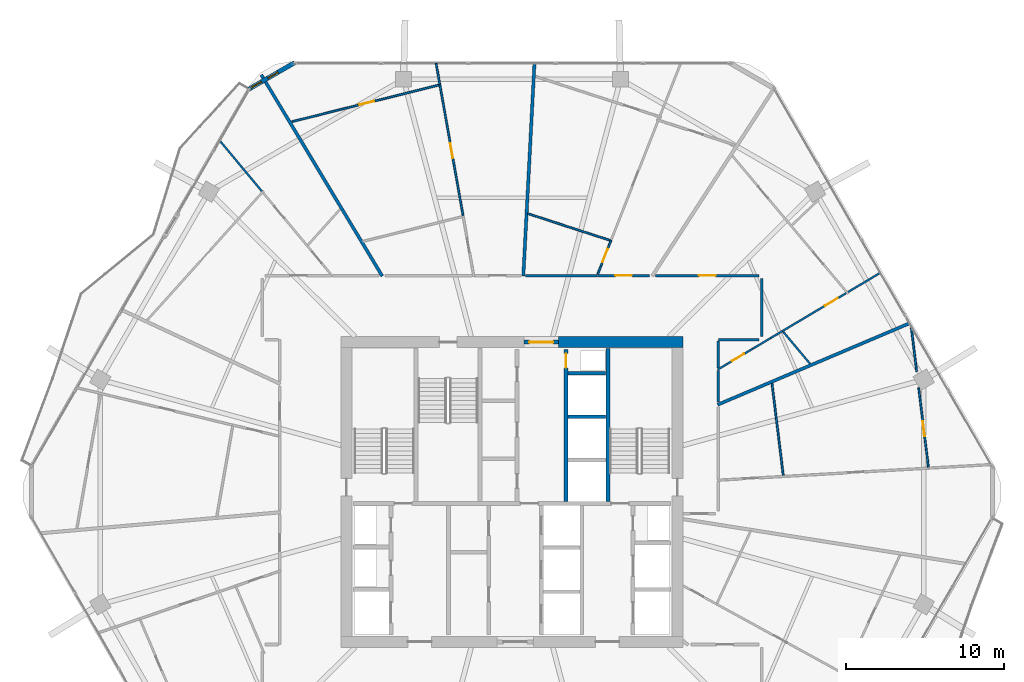
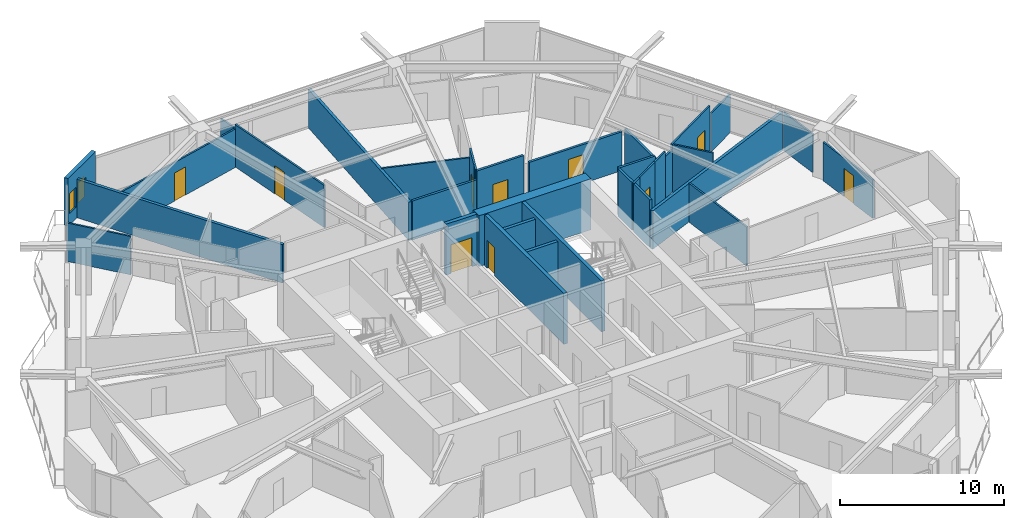
# One storey, part 21 of 26: 34 walls, 10 doors, 2 windows, 12 openings.
"""IFC4 building model written with IfcOpenShell, lengths in metres."""

from ifc_helpers import new_model, si_unit, direction, frame, frame_2d, origin, place, context, subcontext, project, spatial, rectangle, extrude, material, layer, layer_set, type_object, element, fill, save


model = new_model("IFC4")

# Units and contexts
model_context = context("Model", 3, precision=1e-05, world=origin(), true_north=direction((0.0, 1.0)))
body_context = subcontext(model_context, "Body", "Model", "MODEL_VIEW")
ifc_project = project(units=[si_unit("LENGTHUNIT", "METRE"), si_unit("AREAUNIT", "SQUARE_METRE"), si_unit("VOLUMEUNIT", "CUBIC_METRE"), si_unit("PLANEANGLEUNIT", "RADIAN"), si_unit("MASSUNIT", "GRAM", prefix="KILO")], contexts=[model_context])

# Site, building, storey
site_placement = place(None, origin())
site = spatial("IfcSite", under=ifc_project, at=site_placement, CompositionType="ELEMENT")
building_placement = place(site_placement, origin())
building = spatial("IfcBuilding", under=site, at=building_placement, Name="Zuhravey Tower", CompositionType="ELEMENT")
storey_placement = place(building_placement, frame((0.0, 0.0, 165.60009765625)))
storey = spatial("IfcBuildingStorey", under=building, at=storey_placement, Name="L41", CompositionType="ELEMENT", Elevation=165.60009765625)

# Wall
ifc_material_1 = material(Name="Concrete C60/75", Category="concrete")
ifc_layer_1 = layer(ifc_material_1, 0.699951171875)
ifc_layer_set_1 = layer_set([ifc_layer_1], Name="Concrete C60/75")
wall_type_1 = type_object("IfcWallType", Name="Core Shear Wall 700", PredefinedType="SHEAR", material=ifc_layer_set_1)
wall_1_placement = place(storey_placement, frame((46.85009765625, 41.5, 0.0), z_axis=(0.0, 0.0, 1.0), x_axis=(-1.0, 0.0, 0.0)))
element("IfcWall", 1, at=wall_1_placement, inside=storey, type_object=wall_type_1, Name="L41 North-East Core Shear Wall CW70", PredefinedType="SHEAR", context=body_context, shape_type="SweptSolid", body=[
    extrude(rectangle(XDim=7.900146484375, YDim=0.699951171875, at=frame_2d((3.9501953125, 0.0))), origin(), (0.0, 0.0, 1.0), 3.7998046875),
])

# Wall, opening, door
ifc_material_2 = material(Name="Gypsum fire-rated stud partition")
ifc_layer_2 = layer(ifc_material_2, 0.159912109375)
ifc_layer_set_2 = layer_set([ifc_layer_2], Name="Gypsum fire-rated stud partition")
wall_type_2 = type_object("IfcWallType", Name="Corridor Fire Partition 160", PredefinedType="PARTITIONING", material=ifc_layer_set_2)
wall_2_placement = place(storey_placement, frame((51.64990234375, 45.72998046875, 0.0), z_axis=(0.0, 0.0, 1.0), x_axis=(-1.0, 0.0, 0.0)))
wall_2 = element("IfcWall", 2, at=wall_2_placement, inside=storey, type_object=wall_type_2, Name="L41 IW16 Partition 023", PredefinedType="PARTITIONING", context=body_context, shape_type="SweptSolid", body=[
    extrude(rectangle(XDim=6.5380859375, YDim=0.159912109375, at=frame_2d((3.26904296875, 0.0))), origin(), (0.0, 0.0, 1.0), 2.89990234375),
])
opening_1_placement = place(wall_2_placement, frame((2.744140625, 0.0, 0.0)))
opening_1 = element("IfcOpeningElement", 3, at=opening_1_placement, cuts=wall_2, Name="Opening APD1", PredefinedType="OPENING", context=body_context, shape_type="SweptSolid", body=[
    extrude(rectangle(XDim=1.050048828125, YDim=2.14990234375, at=frame_2d((0.52490234375, 1.074951171875))), frame((0.0, 0.092041015625, 0.0), z_axis=(0.0, -1.0, 0.0), x_axis=(1.0, 0.0, 0.0)), (0.0, 0.0, 1.0), 0.183837890625),
])
ifc_material_3 = material(Name="Solid-core oak fire-rated leaf")
door_type_1 = type_object("IfcDoorType", Name="Apartment Entrance Fire Door 1050x2150", OperationType="NOTDEFINED", PredefinedType="DOOR", material=ifc_material_3)
door_1_placement = place(opening_1_placement, frame((1.050048828125, 0.0, 0.0), z_axis=(0.0, 0.0, 1.0), x_axis=(-1.0, 0.0, 0.0)))
door_1 = element("IfcDoor", 4, at=door_1_placement, inside=storey, type_object=door_type_1, Name="L41 Door 023.1", OperationType="SINGLE_SWING_LEFT", OverallHeight=2.14990234375, OverallWidth=1.050048828125, PredefinedType="DOOR", context=body_context, shape_type="SweptSolid", body=[
    extrude(rectangle(XDim=1.050048828125, YDim=2.14990234375, at=frame_2d((0.52490234375, 1.074951171875))), frame((0.0, 0.02490234375, 0.0), z_axis=(0.0, -1.0, 0.0), x_axis=(1.0, 0.0, 0.0)), (0.0, 0.0, 1.0), 0.050048828125),
])
fill(opening_1, door_1)

wall_3_placement = place(storey_placement, frame((44.723388671875, 45.72998046875, 0.0), z_axis=(0.0, 0.0, 1.0), x_axis=(-1.0, 0.0, 0.0)))
wall_3 = element("IfcWall", 5, at=wall_3_placement, inside=storey, type_object=wall_type_2, Name="L41 IW16 Partition 028", PredefinedType="PARTITIONING", context=body_context, shape_type="SweptSolid", body=[
    extrude(rectangle(XDim=3.299072265625, YDim=0.159912109375, at=frame_2d((1.6494140625, 0.0))), origin(), (0.0, 0.0, 1.0), 3.5498046875),
])
opening_2_placement = place(wall_3_placement, frame((1.12451171875, 0.0, 0.0)))
opening_2 = element("IfcOpeningElement", 6, at=opening_2_placement, cuts=wall_3, Name="Opening APD1", PredefinedType="OPENING", context=body_context, shape_type="SweptSolid", body=[
    extrude(rectangle(XDim=1.050048828125, YDim=2.14990234375, at=frame_2d((0.52490234375, 1.074951171875))), frame((0.0, 0.092041015625, 0.0), z_axis=(0.0, -1.0, 0.0), x_axis=(1.0, 0.0, 0.0)), (0.0, 0.0, 1.0), 0.183837890625),
])
door_2_placement = place(opening_2_placement, frame((1.050048828125, 0.0, 0.0), z_axis=(0.0, 0.0, 1.0), x_axis=(-1.0, 0.0, 0.0)))
door_2 = element("IfcDoor", 7, at=door_2_placement, inside=storey, type_object=door_type_1, Name="L41 Door 028.1", OperationType="SINGLE_SWING_RIGHT", OverallHeight=2.14990234375, OverallWidth=1.050048828125, PredefinedType="DOOR", context=body_context, shape_type="SweptSolid", body=[
    extrude(rectangle(XDim=1.050048828125, YDim=2.14990234375, at=frame_2d((0.52490234375, 1.074951171875))), frame((0.0, 0.02490234375, 0.0), z_axis=(0.0, -1.0, 0.0), x_axis=(1.0, 0.0, 0.0)), (0.0, 0.0, 1.0), 0.050048828125),
])
fill(opening_2, door_2)

# Walls
wall_4_placement = place(storey_placement, frame((51.830078125, 41.85009765625, 0.0), z_axis=(0.0, 0.0, 1.0), x_axis=(0.0, 1.0, 0.0)))
element("IfcWall", 8, at=wall_4_placement, inside=storey, type_object=wall_type_2, Name="L41 IW16 Partition 123", PredefinedType="PARTITIONING", context=body_context, shape_type="SweptSolid", body=[
    extrude(rectangle(XDim=3.699951171875, YDim=0.159912109375, at=frame_2d((1.85009765625, 0.0))), origin(), (0.0, 0.0, 1.0), 3.14990234375),
])
wall_5_placement = place(storey_placement, frame((49.080078125, 41.669921875, 0.0), z_axis=(0.0, 0.0, 1.0), x_axis=(1.0, 0.0, 0.0)))
element("IfcWall", 9, at=wall_5_placement, inside=storey, type_object=wall_type_2, Name="L41 IW16 Partition 124", PredefinedType="PARTITIONING", context=body_context, shape_type="SweptSolid", body=[
    extrude(rectangle(XDim=2.56982421875, YDim=0.159912109375, at=frame_2d((1.284912109375, 0.0))), origin(), (0.0, 0.0, 1.0), 3.5498046875),
])
wall_6_placement = place(storey_placement, frame((49.080078125, 39.864013671875, 0.0), z_axis=(0.0, 0.0, 1.0), x_axis=(0.0, 1.0, 0.0)))
element("IfcWall", 10, at=wall_6_placement, inside=storey, type_object=wall_type_2, Name="L41 IW16 Partition 125", PredefinedType="PARTITIONING", context=body_context, shape_type="SweptSolid", body=[
    extrude(rectangle(XDim=1.718017578125, YDim=0.159912109375, at=frame_2d((0.85888671875, 0.0))), origin(), (0.0, 0.0, 1.0), 3.5498046875),
])
wall_7_placement = place(storey_placement, frame((49.080078125, 37.709228515625, 0.0), z_axis=(0.0, 0.0, 1.0), x_axis=(0.0, 1.0, 0.0)))
element("IfcWall", 11, at=wall_7_placement, inside=storey, type_object=wall_type_2, Name="L41 IW16 Partition 126", PredefinedType="PARTITIONING", context=body_context, shape_type="SweptSolid", body=[
    extrude(rectangle(XDim=1.99658203125, YDim=0.159912109375, at=frame_2d((0.998291015625, 0.0))), origin(), (0.0, 0.0, 1.0), 3.5498046875),
])
wall_8_placement = place(storey_placement, frame((41.38134765625, 45.72998046875, 0.0), z_axis=(0.0, 0.0, 1.0), x_axis=(-1.0, 0.0, 0.0)))
element("IfcWall", 12, at=wall_8_placement, inside=storey, type_object=wall_type_2, Name="L41 IW16 Partition 127", PredefinedType="PARTITIONING", context=body_context, shape_type="SweptSolid", body=[
    extrude(rectangle(XDim=4.521484375, YDim=0.159912109375, at=frame_2d((2.2607421875, 0.0))), origin(), (0.0, 0.0, 1.0), 2.89990234375),
])

# Wall, openings, windows
ifc_material_4 = material(Name="Precast concrete C40/50", Category="concrete")
ifc_layer_3 = layer(ifc_material_4, 0.280029296875)
ifc_layer_set_3 = layer_set([ifc_layer_3], Name="Precast concrete C40/50")
wall_type_3 = type_object("IfcWallType", Name="Crown Architectural Wall 280", PredefinedType="SOLIDWALL", material=ifc_layer_set_3)
wall_9_placement = place(storey_placement, frame((19.306884765625, 57.548095703125, 0.0), z_axis=(0.0, 0.0, 1.0), x_axis=(0.866020068361, 0.500009241111, 0.0)))
wall_9 = element("IfcWall", 13, at=wall_9_placement, inside=storey, type_object=wall_type_3, Name="L41 Rounded Corner Closure Wall EW28-08", PredefinedType="SOLIDWALL", context=body_context, shape_type="SweptSolid", body=[
    extrude(rectangle(XDim=3.365234375, YDim=0.280029296875, at=frame_2d((1.6826171875, 0.0))), origin(), (0.0, 0.0, 1.0), 3.5498046875),
])
opening_3_placement = place(wall_9_placement, frame((1.405517578125, 0.0, 0.85009765625)))
opening_3 = element("IfcOpeningElement", 14, at=opening_3_placement, cuts=wall_9, Name="Opening WN5", PredefinedType="OPENING", context=body_context, shape_type="SweptSolid", body=[
    extrude(rectangle(XDim=0.75, YDim=1.5, at=frame_2d((0.375, 0.75))), frame((0.0, 0.152099609375, 0.0), z_axis=(0.0, -1.0, 0.0), x_axis=(1.0, 0.0, 0.0)), (0.0, 0.0, 1.0), 0.303955078125),
])
opening_4_placement = place(wall_9_placement, frame((0.17919921875, 0.0, 0.85009765625)))
opening_4 = element("IfcOpeningElement", 15, at=opening_4_placement, cuts=wall_9, Name="Opening WN5", PredefinedType="OPENING", context=body_context, shape_type="SweptSolid", body=[
    extrude(rectangle(XDim=0.75, YDim=1.5, at=frame_2d((0.375, 0.75))), frame((0.0, 0.152099609375, 0.0), z_axis=(0.0, -1.0, 0.0), x_axis=(1.0, 0.0, 0.0)), (0.0, 0.0, 1.0), 0.303955078125),
])
ifc_material_5 = material(Name="Thermally broken aluminium and triple low-E glass", Category="aluminium")
window_type = type_object("IfcWindowType", Name="Residential Corner Casement Window 750x1500", PartitioningType="SINGLE_PANEL", PredefinedType="WINDOW", material=ifc_material_5)
window_1_placement = place(opening_3_placement, origin())
window_1 = element("IfcWindow", 16, at=window_1_placement, inside=storey, type_object=window_type, Name="L41 Corner Casement Window WN5-08.1", OverallHeight=1.5, OverallWidth=0.75, PartitioningType="SINGLE_PANEL", PredefinedType="WINDOW", context=body_context, shape_type="SweptSolid", body=[
    extrude(rectangle(XDim=0.75, YDim=1.5, at=frame_2d((0.375, 0.75))), frame((0.0, 0.030029296875, 0.0), z_axis=(0.0, -1.0, 0.0), x_axis=(1.0, 0.0, 0.0)), (0.0, 0.0, 1.0), 0.06005859375),
])
fill(opening_3, window_1)
window_2_placement = place(opening_4_placement, origin())
window_2 = element("IfcWindow", 17, at=window_2_placement, inside=storey, type_object=window_type, Name="L41 Corner Casement Window WN5-08.2", OverallHeight=1.5, OverallWidth=0.75, PartitioningType="SINGLE_PANEL", PredefinedType="WINDOW", context=body_context, shape_type="SweptSolid", body=[
    extrude(rectangle(XDim=0.75, YDim=1.5, at=frame_2d((0.375, 0.75))), frame((0.0, 0.030029296875, 0.0), z_axis=(0.0, -1.0, 0.0), x_axis=(1.0, 0.0, 0.0)), (0.0, 0.0, 1.0), 0.06005859375),
])
fill(opening_4, window_2)

# Wall, opening, door
ifc_material_6 = material(Name="Concrete C50/60", Category="concrete")
ifc_layer_4 = layer(ifc_material_6, 0.25)
ifc_layer_set_4 = layer_set([ifc_layer_4], Name="Concrete C50/60")
wall_type_4 = type_object("IfcWallType", Name="Firefighting Shaft & Stair Wall 250", PredefinedType="SOLIDWALL", material=ifc_layer_set_4)
wall_10_placement = place(storey_placement, frame((36.760009765625, 41.5, 0.0), z_axis=(0.0, 0.0, 1.0), x_axis=(1.0, 0.0, 0.0)))
wall_10 = element("IfcWall", 18, at=wall_10_placement, inside=storey, type_object=wall_type_4, Name="L41 FW25 Shaft Wall 002", PredefinedType="SOLIDWALL", context=body_context, shape_type="SweptSolid", body=[
    extrude(rectangle(XDim=2.179931640625, YDim=0.25, at=frame_2d((1.08984375, 0.0))), origin(), (0.0, 0.0, 1.0), 3.7998046875),
])
opening_5_placement = place(wall_10_placement, frame((0.340087890625, 0.0, 0.0)))
opening_5 = element("IfcOpeningElement", 19, at=opening_5_placement, cuts=wall_10, Name="Opening FFD1", PredefinedType="OPENING", context=body_context, shape_type="SweptSolid", body=[
    extrude(rectangle(XDim=1.5, YDim=2.14990234375, at=frame_2d((0.75, 1.074951171875))), frame((0.0, 0.136962890625, 0.0), z_axis=(0.0, -1.0, 0.0), x_axis=(1.0, 0.0, 0.0)), (0.0, 0.0, 1.0), 0.27392578125),
])
ifc_material_7 = material(Name="Galvanised fire-rated steel leaf", Category="steel")
door_type_2 = type_object("IfcDoorType", Name="Firefighting Lobby Double Door 1500x2150", OperationType="DOUBLE_DOOR_SINGLE_SWING", PredefinedType="DOOR", material=ifc_material_7)
door_3_placement = place(opening_5_placement, origin())
door_3 = element("IfcDoor", 20, at=door_3_placement, inside=storey, type_object=door_type_2, Name="L41 North Lift Lobby Exit Door", OperationType="DOUBLE_DOOR_SINGLE_SWING", OverallHeight=2.14990234375, OverallWidth=1.5, PredefinedType="DOOR", context=body_context, shape_type="SweptSolid", body=[
    extrude(rectangle(XDim=1.5, YDim=2.14990234375, at=frame_2d((0.75, 1.074951171875))), frame((0.0, 0.02490234375, 0.0), z_axis=(0.0, -1.0, 0.0), x_axis=(1.0, 0.0, 0.0)), (0.0, 0.0, 1.0), 0.050048828125),
])
fill(opening_5, door_3)

# Wall
wall_11_placement = place(storey_placement, frame((42.074951171875, 31.39990234375, 0.0), z_axis=(0.0, 0.0, 1.0), x_axis=(0.0, 1.0, 0.0)))
element("IfcWall", 21, at=wall_11_placement, inside=storey, type_object=wall_type_4, Name="L41 FW25 Shaft Wall 006", PredefinedType="SOLIDWALL", context=body_context, shape_type="SweptSolid", body=[
    extrude(rectangle(XDim=9.7001953125, YDim=0.25, at=frame_2d((4.85009765625, 0.0))), origin(), (0.0, 0.0, 1.0), 3.7998046875),
])

# Wall, opening, door
wall_12_placement = place(storey_placement, frame((39.425048828125, 31.39990234375, 0.0), z_axis=(0.0, 0.0, 1.0), x_axis=(0.0, 1.0, 0.0)))
wall_12 = element("IfcWall", 22, at=wall_12_placement, inside=storey, type_object=wall_type_4, Name="L41 FW25 Shaft Wall 008", PredefinedType="SOLIDWALL", context=body_context, shape_type="SweptSolid", body=[
    extrude(rectangle(XDim=9.650146484375, YDim=0.25, at=frame_2d((4.8251953125, 0.0))), origin(), (0.0, 0.0, 1.0), 3.7998046875),
])
opening_6_placement = place(wall_12_placement, frame((8.469970703125, 0.0, 0.0)))
opening_6 = element("IfcOpeningElement", 23, at=opening_6_placement, cuts=wall_12, Name="Opening RSD1", PredefinedType="OPENING", context=body_context, shape_type="SweptSolid", body=[
    extrude(rectangle(XDim=0.89990234375, YDim=2.10009765625, at=frame_2d((0.449951171875, 1.050048828125))), frame((0.0, 0.136962890625, 0.0), z_axis=(0.0, -1.0, 0.0), x_axis=(1.0, 0.0, 0.0)), (0.0, 0.0, 1.0), 0.27392578125),
])
ifc_material_8 = material(Name="Galvanised fire-rated steel access leaf", Category="steel")
door_type_3 = type_object("IfcDoorType", Name="Riser & Shaft Access Fire Door 900x2100", OperationType="NOTDEFINED", PredefinedType="DOOR", material=ifc_material_8)
door_4_placement = place(opening_6_placement, origin())
door_4 = element("IfcDoor", 24, at=door_4_placement, inside=storey, type_object=door_type_3, Name="L41 North Riser Door", OperationType="SINGLE_SWING_LEFT", OverallHeight=2.10009765625, OverallWidth=0.89990234375, PredefinedType="DOOR", context=body_context, shape_type="SweptSolid", body=[
    extrude(rectangle(XDim=0.89990234375, YDim=2.10009765625, at=frame_2d((0.449951171875, 1.050048828125))), frame((0.0, 0.02490234375, 0.0), z_axis=(0.0, -1.0, 0.0), x_axis=(1.0, 0.0, 0.0)), (0.0, 0.0, 1.0), 0.050048828125),
])
fill(opening_6, door_4)

# Walls
ifc_material_9 = material(Name="Gypsum double-stud party assembly")
ifc_layer_5 = layer(ifc_material_9, 0.199951171875)
ifc_layer_set_5 = layer_set([ifc_layer_5], Name="Gypsum double-stud party assembly")
wall_type_5 = type_object("IfcWallType", Name="Inter-Tenancy Party Wall 200", PredefinedType="PARTITIONING", material=ifc_layer_set_5)
wall_13_placement = place(storey_placement, frame((49.0400390625, 37.53515625, 0.0), z_axis=(0.0, 0.0, 1.0), x_axis=(0.920509138011, 0.390721034548, 0.0)))
element("IfcWall", 25, at=wall_13_placement, inside=storey, type_object=wall_type_5, Name="L41 IW20 Partition 075", PredefinedType="PARTITIONING", context=body_context, shape_type="SweptSolid", body=[
    extrude(rectangle(XDim=13.22119140625, YDim=0.199951171875, at=frame_2d((6.610595703125, 0.0))), origin(), (0.0, 0.0, 1.0), 2.869873046875),
])
wall_14_placement = place(storey_placement, frame((36.717529296875, 45.68994140625, 0.0), z_axis=(0.0, 0.0, 1.0), x_axis=(0.052327430458, 0.998629981536, 0.0)))
element("IfcWall", 26, at=wall_14_placement, inside=storey, type_object=wall_type_5, Name="L41 IW20 Partition 085", PredefinedType="PARTITIONING", context=body_context, shape_type="SweptSolid", body=[
    extrude(rectangle(XDim=13.51171875, YDim=0.199951171875, at=frame_2d((6.755859375, 0.0))), origin(), (0.0, 0.0, 1.0), 2.869873046875),
])
wall_15_placement = place(storey_placement, frame((27.774169921875, 45.68994140625, 0.0), z_axis=(0.0, 0.0, 1.0), x_axis=(-0.515035727322, 0.857168711271, 0.0)))
element("IfcWall", 27, at=wall_15_placement, inside=storey, type_object=wall_type_5, Name="L41 IW20 Partition 089", PredefinedType="PARTITIONING", context=body_context, shape_type="SweptSolid", body=[
    extrude(rectangle(XDim=14.89111328125, YDim=0.199951171875, at=frame_2d((7.445556640625, 0.0))), origin(), (0.0, 0.0, 1.0), 2.869873046875),
])
ifc_material_10 = material(Name="Gypsum acoustic stud assembly")
ifc_layer_6 = layer(ifc_material_10, 0.219970703125)
ifc_layer_set_6 = layer_set([ifc_layer_6], Name="Gypsum acoustic stud assembly")
wall_type_6 = type_object("IfcWallType", Name="School Acoustic Compartment Wall 220", PredefinedType="PARTITIONING", material=ifc_layer_set_6)
for number, where, z_axis, x_axis, name in (
    (28, (39.55810546875, 36.77490234375, 0.0), (0.0, 0.0, 1.0), (1.0, 0.0, 0.0), "L41 IW22 Partition 070"),
    (29, (39.55810546875, 39.52490234375, 0.0), (0.0, 0.0, 1.0), (1.0, 0.0, 0.0), "L41 IW22 Partition 071"),
):
    element("IfcWall", number, at=place(storey_placement, frame(where, z_axis=z_axis, x_axis=x_axis)), inside=storey, type_object=wall_type_6, Name=name, PredefinedType="PARTITIONING", context=body_context, shape_type="SweptSolid", body=[
        extrude(rectangle(XDim=2.3837890625, YDim=0.219970703125, at=frame_2d((1.19189453125, 0.0))), origin(), (0.0, 0.0, 1.0), 3.5498046875),
    ])

# Wall, opening, door
ifc_material_11 = material(Name="Gypsum metal-stud partition")
ifc_layer_7 = layer(ifc_material_11, 0.1201171875)
ifc_layer_set_7 = layer_set([ifc_layer_7], Name="Gypsum metal-stud partition")
wall_type_7 = type_object("IfcWallType", Name="Unit Internal Partition 120", PredefinedType="PARTITIONING", material=ifc_layer_set_7)
wall_16_placement = place(storey_placement, frame((49.64990234375, 40.1240234375, 0.0), z_axis=(0.0, 0.0, 1.0), x_axis=(0.85930493282, 0.511463617897, 0.0)))
wall_16 = element("IfcWall", 30, at=wall_16_placement, inside=storey, type_object=wall_type_7, Name="L41 IW12 Partition 020", PredefinedType="PARTITIONING", context=body_context, shape_type="SweptSolid", body=[
    extrude(rectangle(XDim=1.908447265625, YDim=0.1201171875, at=frame_2d((0.9541015625, 0.0))), origin(), (0.0, 0.0, 1.0), 3.5498046875),
])
opening_7_placement = place(wall_16_placement, frame((0.351318359375, 0.0, 0.0)))
opening_7 = element("IfcOpeningElement", 31, at=opening_7_placement, cuts=wall_16, Name="Opening WCD1", PredefinedType="OPENING", context=body_context, shape_type="SweptSolid", body=[
    extrude(rectangle(XDim=0.89990234375, YDim=2.10009765625, at=frame_2d((0.449951171875, 1.050048828125))), frame((0.0, 0.072021484375, 0.0), z_axis=(0.0, -1.0, 0.0), x_axis=(1.0, 0.0, 0.0)), (0.0, 0.0, 1.0), 0.14404296875),
])
ifc_material_12 = material(Name="Moisture-resistant timber leaf", Category="wood")
door_type_4 = type_object("IfcDoorType", Name="Bathroom & WC Internal Door 900x2100", OperationType="NOTDEFINED", PredefinedType="DOOR", material=ifc_material_12)
door_5_placement = place(opening_7_placement, frame((0.89990234375, 0.0, 0.0), z_axis=(0.0, 0.0, 1.0), x_axis=(-1.0, 0.0, 0.0)))
door_5 = element("IfcDoor", 32, at=door_5_placement, inside=storey, type_object=door_type_4, Name="Apartment L41-01 Bathroom Door", OperationType="SINGLE_SWING_LEFT", OverallHeight=2.10009765625, OverallWidth=0.89990234375, PredefinedType="DOOR", context=body_context, shape_type="SweptSolid", body=[
    extrude(rectangle(XDim=0.89990234375, YDim=2.10009765625, at=frame_2d((0.449951171875, 1.050048828125))), frame((0.0, 0.02490234375, 0.0), z_axis=(0.0, -1.0, 0.0), x_axis=(1.0, 0.0, 0.0)), (0.0, 0.0, 1.0), 0.050048828125),
])
fill(opening_7, door_5)

wall_17_placement = place(storey_placement, frame((53.13623046875, 42.198974609375, 0.0), z_axis=(0.0, 0.0, 1.0), x_axis=(0.859312908938, 0.511450217062, 0.0)))
wall_17 = element("IfcWall", 33, at=wall_17_placement, inside=storey, type_object=wall_type_7, Name="L41 IW12 Partition 021", PredefinedType="PARTITIONING", context=body_context, shape_type="SweptSolid", body=[
    extrude(rectangle(XDim=4.720458984375, YDim=0.1201171875, at=frame_2d((2.3603515625, 0.0))), origin(), (0.0, 0.0, 1.0), 3.5498046875),
])
opening_8_placement = place(wall_17_placement, frame((3.1494140625, 0.0, 0.0)))
opening_8 = element("IfcOpeningElement", 34, at=opening_8_placement, cuts=wall_17, Name="Opening IND1", PredefinedType="OPENING", context=body_context, shape_type="SweptSolid", body=[
    extrude(rectangle(XDim=0.949951171875, YDim=2.10009765625, at=frame_2d((0.47509765625, 1.050048828125))), frame((0.0, 0.072021484375, 0.0), z_axis=(0.0, -1.0, 0.0), x_axis=(1.0, 0.0, 0.0)), (0.0, 0.0, 1.0), 0.14404296875),
])
ifc_material_13 = material(Name="Painted engineered timber leaf", Category="wood")
door_type_5 = type_object("IfcDoorType", Name="Internal Room & Bedroom Door 950x2100", OperationType="NOTDEFINED", PredefinedType="DOOR", material=ifc_material_13)
door_6_placement = place(opening_8_placement, frame((0.949951171875, 0.0, 0.0), z_axis=(0.0, 0.0, 1.0), x_axis=(-1.0, 0.0, 0.0)))
door_6 = element("IfcDoor", 35, at=door_6_placement, inside=storey, type_object=door_type_5, Name="Apartment L41-01 Bedroom 1 Door", OperationType="SINGLE_SWING_RIGHT", OverallHeight=2.10009765625, OverallWidth=0.949951171875, PredefinedType="DOOR", context=body_context, shape_type="SweptSolid", body=[
    extrude(rectangle(XDim=0.949951171875, YDim=2.10009765625, at=frame_2d((0.47509765625, 1.050048828125))), frame((0.0, 0.02490234375, 0.0), z_axis=(0.0, -1.0, 0.0), x_axis=(1.0, 0.0, 0.0)), (0.0, 0.0, 1.0), 0.050048828125),
])
fill(opening_8, door_6)

# Wall
wall_18_placement = place(storey_placement, frame((57.31103515625, 44.683837890625, 0.0), z_axis=(0.0, 0.0, 1.0), x_axis=(0.859307846335, 0.511458722896, 0.0)))
element("IfcWall", 36, at=wall_18_placement, inside=storey, type_object=wall_type_7, Name="L41 IW12 Partition 022", PredefinedType="PARTITIONING", context=body_context, shape_type="SweptSolid", body=[
    extrude(rectangle(XDim=2.390625, YDim=0.1201171875, at=frame_2d((1.1953125, 0.0))), origin(), (0.0, 0.0, 1.0), 2.869873046875),
])

# Wall, opening, door
wall_19_placement = place(storey_placement, frame((41.627197265625, 46.300048828125, 0.0), z_axis=(0.0, 0.0, 1.0), x_axis=(0.366112681727, 0.930570526225, 0.0)))
wall_19 = element("IfcWall", 37, at=wall_19_placement, inside=storey, type_object=wall_type_7, Name="L41 IW12 Partition 025", PredefinedType="PARTITIONING", context=body_context, shape_type="SweptSolid", body=[
    extrude(rectangle(XDim=1.78857421875, YDim=0.1201171875, at=frame_2d((0.894287109375, 0.0))), origin(), (0.0, 0.0, 1.0), 3.5498046875),
])
opening_9_placement = place(wall_19_placement, frame((0.30126953125, 0.0, 0.0)))
opening_9 = element("IfcOpeningElement", 38, at=opening_9_placement, cuts=wall_19, Name="Opening WCD1", PredefinedType="OPENING", context=body_context, shape_type="SweptSolid", body=[
    extrude(rectangle(XDim=0.89990234375, YDim=2.10009765625, at=frame_2d((0.449951171875, 1.050048828125))), frame((0.0, 0.072021484375, 0.0), z_axis=(0.0, -1.0, 0.0), x_axis=(1.0, 0.0, 0.0)), (0.0, 0.0, 1.0), 0.14404296875),
])
door_7_placement = place(opening_9_placement, origin())
door_7 = element("IfcDoor", 39, at=door_7_placement, inside=storey, type_object=door_type_4, Name="Apartment L41-02 Bathroom Door", OperationType="SINGLE_SWING_LEFT", OverallHeight=2.10009765625, OverallWidth=0.89990234375, PredefinedType="DOOR", context=body_context, shape_type="SweptSolid", body=[
    extrude(rectangle(XDim=0.89990234375, YDim=2.10009765625, at=frame_2d((0.449951171875, 1.050048828125))), frame((0.0, 0.02490234375, 0.0), z_axis=(0.0, -1.0, 0.0), x_axis=(1.0, 0.0, 0.0)), (0.0, 0.0, 1.0), 0.050048828125),
])
fill(opening_9, door_7)

wall_20_placement = place(storey_placement, frame((32.901611328125, 49.50146484375, 0.0), z_axis=(0.0, 0.0, 1.0), x_axis=(-0.174358516614, 0.984682236909, 0.0)))
wall_20 = element("IfcWall", 40, at=wall_20_placement, inside=storey, type_object=wall_type_7, Name="L41 IW12 Partition 030", PredefinedType="PARTITIONING", context=body_context, shape_type="SweptSolid", body=[
    extrude(rectangle(XDim=8.479736328125, YDim=0.1201171875, at=frame_2d((4.23974609375, 0.0))), origin(), (0.0, 0.0, 1.0), 3.14990234375),
])
opening_10_placement = place(wall_20_placement, frame((3.73974609375, 0.0, 0.0)))
opening_10 = element("IfcOpeningElement", 41, at=opening_10_placement, cuts=wall_20, Name="Opening IND1", PredefinedType="OPENING", context=body_context, shape_type="SweptSolid", body=[
    extrude(rectangle(XDim=0.949951171875, YDim=2.10009765625, at=frame_2d((0.47509765625, 1.050048828125))), frame((0.0, 0.072021484375, 0.0), z_axis=(0.0, -1.0, 0.0), x_axis=(1.0, 0.0, 0.0)), (0.0, 0.0, 1.0), 0.14404296875),
])
door_8_placement = place(opening_10_placement, origin())
door_8 = element("IfcDoor", 42, at=door_8_placement, inside=storey, type_object=door_type_5, Name="Apartment L41-03 Home Office Door", OperationType="SINGLE_SWING_RIGHT", OverallHeight=2.10009765625, OverallWidth=0.949951171875, PredefinedType="DOOR", context=body_context, shape_type="SweptSolid", body=[
    extrude(rectangle(XDim=0.949951171875, YDim=2.10009765625, at=frame_2d((0.47509765625, 1.050048828125))), frame((0.0, 0.02490234375, 0.0), z_axis=(0.0, -1.0, 0.0), x_axis=(1.0, 0.0, 0.0)), (0.0, 0.0, 1.0), 0.050048828125),
])
fill(opening_10, door_8)

wall_21_placement = place(storey_placement, frame((31.361328125, 57.81005859375, 0.0), z_axis=(0.0, 0.0, 1.0), x_axis=(-0.97029492616, -0.241925104669, 0.0)))
wall_21 = element("IfcWall", 43, at=wall_21_placement, inside=storey, type_object=wall_type_7, Name="L41 IW12 Partition 031", PredefinedType="PARTITIONING", context=body_context, shape_type="SweptSolid", body=[
    extrude(rectangle(XDim=9.59814453125, YDim=0.1201171875, at=frame_2d((4.799072265625, 0.0))), origin(), (0.0, 0.0, 1.0), 2.869873046875),
])
opening_11_placement = place(wall_21_placement, frame((4.23974609375, 0.0, 0.0)))
opening_11 = element("IfcOpeningElement", 44, at=opening_11_placement, cuts=wall_21, Name="Opening IND1", PredefinedType="OPENING", context=body_context, shape_type="SweptSolid", body=[
    extrude(rectangle(XDim=0.949951171875, YDim=2.10009765625, at=frame_2d((0.47509765625, 1.050048828125))), frame((0.0, 0.072021484375, 0.0), z_axis=(0.0, -1.0, 0.0), x_axis=(1.0, 0.0, 0.0)), (0.0, 0.0, 1.0), 0.14404296875),
])
door_9_placement = place(opening_11_placement, frame((0.949951171875, 0.0, 0.0), z_axis=(0.0, 0.0, 1.0), x_axis=(-1.0, 0.0, 0.0)))
door_9 = element("IfcDoor", 45, at=door_9_placement, inside=storey, type_object=door_type_5, Name="Apartment L41-03 Bedroom 1 Door", OperationType="SINGLE_SWING_LEFT", OverallHeight=2.10009765625, OverallWidth=0.949951171875, PredefinedType="DOOR", context=body_context, shape_type="SweptSolid", body=[
    extrude(rectangle(XDim=0.949951171875, YDim=2.10009765625, at=frame_2d((0.47509765625, 1.050048828125))), frame((0.0, 0.02490234375, 0.0), z_axis=(0.0, -1.0, 0.0), x_axis=(1.0, 0.0, 0.0)), (0.0, 0.0, 1.0), 0.050048828125),
])
fill(opening_11, door_9)

# Wall
wall_22_placement = place(storey_placement, frame((20.135986328125, 51.074462890625, 0.0), z_axis=(0.0, 0.0, 1.0), x_axis=(-0.639446992495, 0.768835186362, 0.0)))
element("IfcWall", 46, at=wall_22_placement, inside=storey, type_object=wall_type_7, Name="L41 IW12 Partition 036", PredefinedType="PARTITIONING", context=body_context, shape_type="SweptSolid", body=[
    extrude(rectangle(XDim=4.169921875, YDim=0.1201171875, at=frame_2d((2.0849609375, 0.0))), origin(), (0.0, 0.0, 1.0), 2.869873046875),
])

# Wall, opening, door
wall_23_placement = place(storey_placement, frame((62.40771484375, 33.58154296875, 0.0), z_axis=(0.0, 0.0, 1.0), x_axis=(-0.121862130173, 0.992547037288, 0.0)))
wall_23 = element("IfcWall", 47, at=wall_23_placement, inside=storey, type_object=wall_type_7, Name="L41 IW12 Partition 065", PredefinedType="PARTITIONING", context=body_context, shape_type="SweptSolid", body=[
    extrude(rectangle(XDim=5.062744140625, YDim=0.1201171875, at=frame_2d((2.53125, 0.0))), origin(), (0.0, 0.0, 1.0), 2.869873046875),
])
opening_12_placement = place(wall_23_placement, frame((1.97216796875, 0.0, 0.0)))
opening_12 = element("IfcOpeningElement", 48, at=opening_12_placement, cuts=wall_23, Name="Opening IND1", PredefinedType="OPENING", context=body_context, shape_type="SweptSolid", body=[
    extrude(rectangle(XDim=0.949951171875, YDim=2.10009765625, at=frame_2d((0.47509765625, 1.050048828125))), frame((0.0, 0.072021484375, 0.0), z_axis=(0.0, -1.0, 0.0), x_axis=(1.0, 0.0, 0.0)), (0.0, 0.0, 1.0), 0.14404296875),
])
door_10_placement = place(opening_12_placement, frame((0.949951171875, 0.0, 0.0), z_axis=(0.0, 0.0, 1.0), x_axis=(-1.0, 0.0, 0.0)))
door_10 = element("IfcDoor", 49, at=door_10_placement, inside=storey, type_object=door_type_5, Name="Apartment L41-11 Bedroom 1 Door", OperationType="SINGLE_SWING_RIGHT", OverallHeight=2.10009765625, OverallWidth=0.949951171875, PredefinedType="DOOR", context=body_context, shape_type="SweptSolid", body=[
    extrude(rectangle(XDim=0.949951171875, YDim=2.10009765625, at=frame_2d((0.47509765625, 1.050048828125))), frame((0.0, 0.02490234375, 0.0), z_axis=(0.0, -1.0, 0.0), x_axis=(1.0, 0.0, 0.0)), (0.0, 0.0, 1.0), 0.050048828125),
])
fill(opening_12, door_10)

# Walls
wall_24_placement = place(storey_placement, frame((52.3935546875, 41.757080078125, 0.0), z_axis=(0.0, 0.0, 1.0), x_axis=(0.859381560936, 0.511334853812, 0.0)))
element("IfcWall", 50, at=wall_24_placement, inside=storey, type_object=wall_type_7, Name="L41 IW12 Partition 077", PredefinedType="PARTITIONING", context=body_context, shape_type="SweptSolid", body=[
    extrude(rectangle(XDim=0.8642578125, YDim=0.1201171875, at=frame_2d((0.43212890625, 0.0))), origin(), (0.0, 0.0, 1.0), 3.14990234375),
])
wall_25_placement = place(storey_placement, frame((49.034912109375, 39.758056640625, 0.0), z_axis=(0.0, 0.0, 1.0), x_axis=(0.859353568271, 0.511381897117, 0.0)))
element("IfcWall", 51, at=wall_25_placement, inside=storey, type_object=wall_type_7, Name="L41 IW12 Partition 078", PredefinedType="PARTITIONING", context=body_context, shape_type="SweptSolid", body=[
    extrude(rectangle(XDim=0.715576171875, YDim=0.1201171875, at=frame_2d((0.35791015625, 0.0))), origin(), (0.0, 0.0, 1.0), 3.5498046875),
])
wall_26_placement = place(storey_placement, frame((51.289794921875, 41.10009765625, 0.0), z_axis=(0.0, 0.0, 1.0), x_axis=(0.859298851335, 0.511473835201, 0.0)))
element("IfcWall", 52, at=wall_26_placement, inside=storey, type_object=wall_type_7, Name="L41 IW12 Partition 079", PredefinedType="PARTITIONING", context=body_context, shape_type="SweptSolid", body=[
    extrude(rectangle(XDim=1.284423828125, YDim=0.1201171875, at=frame_2d((0.64208984375, 0.0))), origin(), (0.0, 0.0, 1.0), 3.5498046875),
])
wall_27_placement = place(storey_placement, frame((54.897216796875, 40.138671875, 0.0), z_axis=(0.0, 0.0, 1.0), x_axis=(-0.642812084611, 0.766023905553, 0.0)))
element("IfcWall", 53, at=wall_27_placement, inside=storey, type_object=wall_type_7, Name="L41 IW12 Partition 080", PredefinedType="PARTITIONING", context=body_context, shape_type="SweptSolid", body=[
    extrude(rectangle(XDim=2.637451171875, YDim=0.1201171875, at=frame_2d((1.31884765625, 0.0))), origin(), (0.0, 0.0, 1.0), 3.5498046875),
])
wall_28_placement = place(storey_placement, frame((41.4375, 45.818115234375, 0.0), z_axis=(0.0, 0.0, 1.0), x_axis=(0.366264831108, 0.930510652004, 0.0)))
element("IfcWall", 54, at=wall_28_placement, inside=storey, type_object=wall_type_7, Name="L41 IW12 Partition 082", PredefinedType="PARTITIONING", context=body_context, shape_type="SweptSolid", body=[
    extrude(rectangle(XDim=0.517822265625, YDim=0.1201171875, at=frame_2d((0.2587890625, 0.0))), origin(), (0.0, 0.0, 1.0), 3.5498046875),
])
wall_29_placement = place(storey_placement, frame((42.208251953125, 47.962158203125, 0.0), z_axis=(0.0, 0.0, 1.0), x_axis=(-0.951058543187, 0.309010756175, 0.0)))
element("IfcWall", 55, at=wall_29_placement, inside=storey, type_object=wall_type_7, Name="L41 IW12 Partition 084", PredefinedType="PARTITIONING", context=body_context, shape_type="SweptSolid", body=[
    extrude(rectangle(XDim=5.497314453125, YDim=0.1201171875, at=frame_2d((2.74853515625, 0.0))), origin(), (0.0, 0.0, 1.0), 2.89990234375),
])
wall_30_placement = place(storey_placement, frame((31.423095703125, 57.851318359375, 0.0), z_axis=(0.0, 0.0, 1.0), x_axis=(-0.174452178644, 0.9846656475, 0.0)))
element("IfcWall", 56, at=wall_30_placement, inside=storey, type_object=wall_type_7, Name="L41 IW12 Partition 087", PredefinedType="PARTITIONING", context=body_context, shape_type="SweptSolid", body=[
    extrude(rectangle(XDim=1.357421875, YDim=0.1201171875, at=frame_2d((0.6787109375, 0.0))), origin(), (0.0, 0.0, 1.0), 2.869873046875),
])
wall_31_placement = place(storey_placement, frame((53.203857421875, 33.053955078125, 0.0), z_axis=(0.0, 0.0, 1.0), x_axis=(-0.121874772377, 0.992545485032, 0.0)))
element("IfcWall", 57, at=wall_31_placement, inside=storey, type_object=wall_type_7, Name="L41 IW12 Partition 121", PredefinedType="PARTITIONING", context=body_context, shape_type="SweptSolid", body=[
    extrude(rectangle(XDim=5.871337890625, YDim=0.1201171875, at=frame_2d((2.935546875, 0.0))), origin(), (0.0, 0.0, 1.0), 2.89990234375),
])
wall_32_placement = place(storey_placement, frame((61.6630859375, 39.646484375, 0.0), z_axis=(0.0, 0.0, 1.0), x_axis=(-0.121841400671, 0.992549582178, 0.0)))
element("IfcWall", 58, at=wall_32_placement, inside=storey, type_object=wall_type_7, Name="L41 IW12 Partition 122", PredefinedType="PARTITIONING", context=body_context, shape_type="SweptSolid", body=[
    extrude(rectangle(XDim=2.95947265625, YDim=0.1201171875, at=frame_2d((1.479736328125, 0.0))), origin(), (0.0, 0.0, 1.0), 2.869873046875),
])

save(model, "model.ifc")
